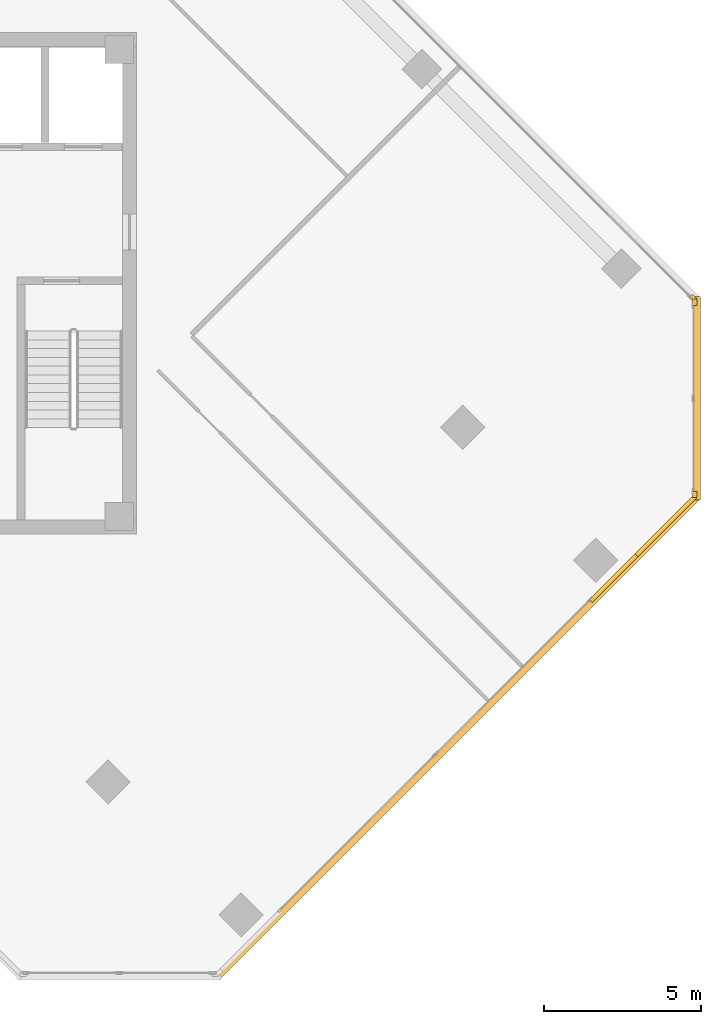
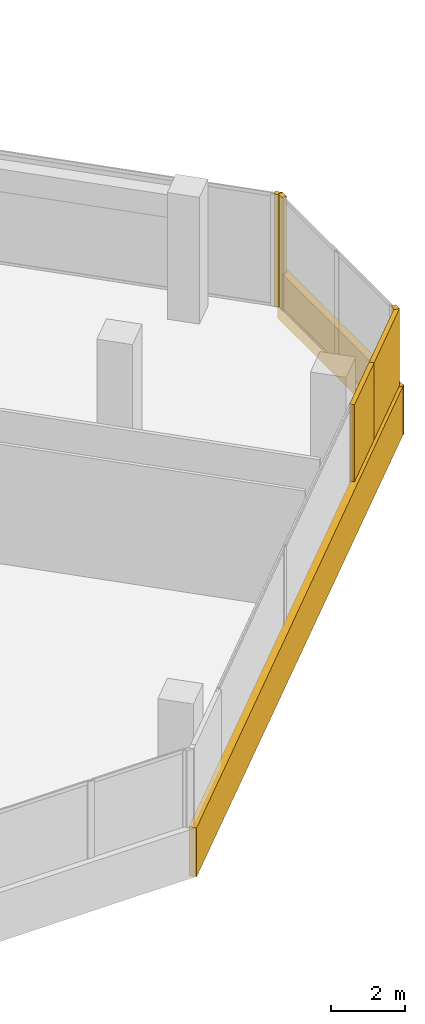
# One storey, part 17 of 18: 7 coverings.
"""IFC4 building model written with IfcOpenShell, lengths in metres."""

import ifcopenshell
import ifcopenshell.guid

model = None  # the IFC model being written
_history = None  # IfcOwnerHistory: only IFC2X3 demands one
_inside = {}  # id of a spatial element -> (the spatial element, [elements in it])
_under = {}  # id of a project, library or spatial element -> (it, [spatial elements below it])
_declared = {}  # id of a project -> (the project, [libraries it declares])
_typed = {}  # id of a type object -> (the type object, [elements of that type])
_made_of = {}  # id of a material, layer set ... -> (it, [elements and type objects made of it])


def new_model(schema):
    """Start an empty IFC model of exactly this schema.

    Asked for "IFC4X3", IfcOpenShell would pick the latest addendum, in which some entities
    have other attributes; the version numbers below select the first issue.
    IFC2X3 requires an IfcOwnerHistory on every rooted entity: one is made here for all.
    """
    global model, _history
    if schema == "IFC4X3":
        model = ifcopenshell.file(schema_version=(4, 3, 0, 0))
    else:
        model = ifcopenshell.file(schema=schema)
    _inside.clear()
    _under.clear()
    _declared.clear()
    _typed.clear()
    _made_of.clear()
    _history = None
    if model.schema == "IFC2X3":
        org = make("IfcOrganization", Name="unknown")
        user = make(
            "IfcPersonAndOrganization",
            ThePerson=make("IfcPerson", FamilyName="unknown"),
            TheOrganization=org,
        )
        app = make(
            "IfcApplication",
            ApplicationDeveloper=org,
            Version="unknown",
            ApplicationFullName="unknown",
            ApplicationIdentifier="unknown",
        )
        _history = make(
            "IfcOwnerHistory",
            OwningUser=user,
            OwningApplication=app,
            ChangeAction="ADDED",
            CreationDate=0,
        )
    return model


def make(cls, **values):
    """One entity of the class cls with the attributes given. An attribute that is None is left unset."""
    return model.create_entity(
        cls, **{name: value for name, value in values.items() if value is not None}
    )


def rooted(cls, **values):
    """An entity with a GlobalId (a new one), such as an element, a storey or a relation."""
    return make(cls, GlobalId=ifcopenshell.guid.new(), OwnerHistory=_history, **values)


def si_unit(unit_type, name, prefix=None):
    """IfcSIUnit, for example si_unit("LENGTHUNIT", "METRE", prefix="MILLI")."""
    return make("IfcSIUnit", UnitType=unit_type, Prefix=prefix, Name=name)


def assignment(units):
    """IfcUnitAssignment: the units of a project."""
    return None if units is None else make("IfcUnitAssignment", Units=units)


def point(xyz):
    """IfcCartesianPoint."""
    return None if xyz is None else make("IfcCartesianPoint", Coordinates=xyz)


def direction(xyz):
    """IfcDirection."""
    return None if xyz is None else make("IfcDirection", DirectionRatios=xyz)


def frame(location, z_axis=None, x_axis=None):
    """IfcAxis2Placement3D, a coordinate frame: its origin and axes. An axis left out is left unset."""
    return make(
        "IfcAxis2Placement3D",
        Location=point(location),
        Axis=direction(z_axis),
        RefDirection=direction(x_axis),
    )


def frame_2d(location, x_axis=None):
    """IfcAxis2Placement2D, a coordinate frame in the plane: its origin and x axis."""
    return make(
        "IfcAxis2Placement2D", Location=point(location), RefDirection=direction(x_axis)
    )


def origin():
    """The frame at (0, 0, 0) with its axes left unset."""
    return frame((0.0, 0.0, 0.0))


def origin_2d():
    """The frame at (0, 0) in the plane with its x axis left unset."""
    return frame_2d((0.0, 0.0))


def place(relative_to, where):
    """IfcLocalPlacement: puts the frame where relative to a parent placement (None: the world)."""
    return make(
        "IfcLocalPlacement", PlacementRelTo=relative_to, RelativePlacement=where
    )


def context(
    kind, dimensions, precision=None, world=None, true_north=None, identifier=None
):
    """IfcGeometricRepresentationContext, for example the 3D "Model" context."""
    return make(
        "IfcGeometricRepresentationContext",
        ContextIdentifier=identifier,
        ContextType=kind,
        CoordinateSpaceDimension=dimensions,
        Precision=precision,
        WorldCoordinateSystem=world,
        TrueNorth=true_north,
    )


def subcontext(parent, identifier, kind, view, scale=None):
    """IfcGeometricRepresentationSubContext, for example "Body" below "Model"."""
    return make(
        "IfcGeometricRepresentationSubContext",
        ContextIdentifier=identifier,
        ContextType=kind,
        ParentContext=parent,
        TargetScale=scale,
        TargetView=view,
    )


def project(units=None, contexts=None):
    """IfcProject with its units and contexts."""
    return rooted(
        "IfcProject",
        Name="project",
        RepresentationContexts=contexts,
        UnitsInContext=assignment(units),
    )


def spatial(cls, under=None, at=None, **own):
    """A site, building, storey or space (cls), placed at a placement, below another one or the project."""
    s = rooted(cls, ObjectPlacement=at, **own)
    if under is not None:
        _under.setdefault(under.id(), (under, []))[1].append(s)
    return s


def profile(cls, at=None, kind="AREA", **sizes):
    """A parametric profile (cls). Its sizes go by their IFC names, for example OverallWidth=200.0."""
    return make(cls, ProfileType=kind, Position=at, **sizes)


def rectangle(**sizes):
    """IfcRectangleProfileDef."""
    return profile("IfcRectangleProfileDef", **sizes)


def extrude(swept, where, along, depth):
    """IfcExtrudedAreaSolid: the profile swept, set in the frame where, extruded along a direction by depth."""
    return make(
        "IfcExtrudedAreaSolid",
        SweptArea=swept,
        Position=where,
        ExtrudedDirection=direction(along),
        Depth=depth,
    )


def shape(context_of_items, identifier, shape_type, items):
    """IfcShapeRepresentation: the items that make up one representation, for example the "Body"."""
    return make(
        "IfcShapeRepresentation",
        ContextOfItems=context_of_items,
        RepresentationIdentifier=identifier,
        RepresentationType=shape_type,
        Items=items,
    )


def source(mapping_origin, context_of_items, identifier, shape_type, items):
    """IfcRepresentationMap: a shape defined once, which mapped items show again and again."""
    return make(
        "IfcRepresentationMap",
        MappingOrigin=mapping_origin,
        MappedRepresentation=shape(context_of_items, identifier, shape_type, items),
    )


def transform(
    local_origin,
    x_axis=None,
    y_axis=None,
    z_axis=None,
    scale=None,
    scale2=None,
    scale3=None,
    uniform=True,
):
    """IfcCartesianTransformationOperator3D, or its non-uniform kind. x_axis, y_axis, z_axis: its Axis1, 2, 3."""
    if uniform:
        return make(
            "IfcCartesianTransformationOperator3D",
            Axis1=direction(x_axis),
            Axis2=direction(y_axis),
            LocalOrigin=point(local_origin),
            Scale=scale,
            Axis3=direction(z_axis),
        )
    return make(
        "IfcCartesianTransformationOperator3DnonUniform",
        Axis1=direction(x_axis),
        Axis2=direction(y_axis),
        LocalOrigin=point(local_origin),
        Scale=scale,
        Axis3=direction(z_axis),
        Scale2=scale2,
        Scale3=scale3,
    )


def mapped(mapping_source, mapping_target):
    """IfcMappedItem: shows the shape of a source again, moved by a transform."""
    return make(
        "IfcMappedItem", MappingSource=mapping_source, MappingTarget=mapping_target
    )


def material(Name=None, Category=None):
    """IfcMaterial."""
    return make("IfcMaterial", Name=Name, Category=Category)


def layer(
    of_material, thickness, ventilated=None, Name=None, Category=None, Priority=None
):
    """IfcMaterialLayer: one layer of a wall or slab, of a material (None: an air gap)."""
    return make(
        "IfcMaterialLayer",
        Material=of_material,
        LayerThickness=thickness,
        IsVentilated=ventilated,
        Name=Name,
        Category=Category,
        Priority=Priority,
    )


def layer_set(layers, Name=None):
    """IfcMaterialLayerSet."""
    return make("IfcMaterialLayerSet", MaterialLayers=layers, LayerSetName=Name)


def made_of(thing, what):
    """Note that an element or type object is made of a material, layer set ...; save() writes the relation."""
    if what is not None:
        _made_of.setdefault(what.id(), (what, []))[1].append(thing)
    return thing


def type_object(cls, material=None, **own):
    """A type object (cls), such as IfcWallType, which elements share."""
    return made_of(rooted(cls, **own), material)


def element(
    cls,
    number,
    at=None,
    inside=None,
    cuts=None,
    type_object=None,
    material=None,
    context=None,
    identifier="Body",
    shape_type=None,
    held_by="IfcProductDefinitionShape",
    body=None,
    shapes=None,
    **own,
):
    """One element of the class cls, such as IfcWall. Its Tag is "e" and its number.

    at: its placement. inside: the storey or other place that contains it. cuts: it is an
    opening in that element (IfcRelVoidsElement). A single representation is given by context,
    identifier, shape_type and body (its items); several are given by shapes. held_by: the class
    of the entity that holds the representations. save() writes the other relations.
    """
    e = rooted(cls, Tag="e%d" % number, ObjectPlacement=at, **own)
    if body is not None:
        shapes = [shape(context, identifier, shape_type, body)]
    if shapes is not None:
        e.Representation = make(held_by, Representations=shapes)
    if inside is not None:
        _inside.setdefault(inside.id(), (inside, []))[1].append(e)
    if cuts is not None:
        rooted(
            "IfcRelVoidsElement", RelatingBuildingElement=cuts, RelatedOpeningElement=e
        )
    if type_object is not None:
        _typed.setdefault(type_object.id(), (type_object, []))[1].append(e)
    return made_of(e, material)


def aggregate(whole, parts):
    """IfcRelAggregates: a whole, such as a stair, and the parts it consists of."""
    return rooted("IfcRelAggregates", RelatingObject=whole, RelatedObjects=parts)


def save(model, path):
    """Write the relations noted so far, then the file.

    IfcRelAggregates (storeys below a building ...), IfcRelContainedInSpatialStructure (elements
    in a storey), IfcRelDefinesByType, IfcRelAssociatesMaterial and IfcRelDeclares: one each for
    every whole, place, type object, material and project.
    """
    for whole, parts in _under.values():
        aggregate(whole, parts)
    for where, things in _inside.values():
        rooted(
            "IfcRelContainedInSpatialStructure",
            RelatedElements=things,
            RelatingStructure=where,
        )
    for kind, things in _typed.values():
        rooted("IfcRelDefinesByType", RelatedObjects=things, RelatingType=kind)
    for what, things in _made_of.values():
        rooted("IfcRelAssociatesMaterial", RelatedObjects=things, RelatingMaterial=what)
    for by, libraries in _declared.values():
        rooted("IfcRelDeclares", RelatingContext=by, RelatedDefinitions=libraries)
    model.write(path)


model = new_model("IFC4")

# Units and contexts
model_context = context("Model", 3, precision=1e-05, world=origin(), true_north=direction((0.0, 1.0)))
body_context = subcontext(model_context, "Body", "Model", "MODEL_VIEW")
ifc_project = project(units=[si_unit("LENGTHUNIT", "METRE"), si_unit("AREAUNIT", "SQUARE_METRE"), si_unit("VOLUMEUNIT", "CUBIC_METRE"), si_unit("PLANEANGLEUNIT", "RADIAN"), si_unit("MASSUNIT", "GRAM", prefix="KILO")], contexts=[model_context])

# Site, building, storey
site_placement = place(None, origin())
site = spatial("IfcSite", under=ifc_project, at=site_placement, CompositionType="ELEMENT")
building_placement = place(site_placement, origin())
building = spatial("IfcBuilding", under=site, at=building_placement, Name="Torre Montelarca", CompositionType="ELEMENT")
storey_placement = place(building_placement, frame((0.0, 0.0, 245.800048828125)))
storey = spatial("IfcBuildingStorey", under=building, at=storey_placement, Name="L55", CompositionType="ELEMENT", Elevation=245.800048828125)

# Coverings
ifc_material = material(Name="Bush-hammered warm white precast concrete C45/55", Category="concrete")
ifc_layer = layer(ifc_material, 0.139892578125, Name="Bush-hammered warm white precast concrete C45/55", Category="concrete")
ifc_layer_set = layer_set([ifc_layer], Name="Bush-hammered warm white precast concrete C45/55")
covering_type = type_object("IfcCoveringType", Name="COV-TRAY-CLAD", PredefinedType="CLADDING", material=ifc_layer_set)
shared_shape_1 = source(origin(), body_context, "Body", "SweptSolid", [
    extrude(rectangle(XDim=6.48388671875, YDim=0.219970703125, at=origin_2d()), origin(), (0.0, 0.0, 1.0), 1.6201171875),
])
covering_1_placement = place(storey_placement, frame((44.875244140625, 28.322998046875, -0.4501953125), z_axis=(0.0, 0.0, 1.0), x_axis=(0.0, 1.0, 0.0)))
element("IfcCovering", 1, at=covering_1_placement, inside=storey, type_object=covering_type, Name="L55 Architectural White Spandrel Tray Band TRYBOT-07", PredefinedType="CLADDING", context=body_context, shape_type="MappedRepresentation", body=[
    mapped(shared_shape_1, transform((0.0, 0.0, 0.0), scale=1.0)),
])
shared_shape_2 = source(origin(), body_context, "Body", "SweptSolid", [
    extrude(rectangle(XDim=0.199951171875, YDim=0.139892578125, at=origin_2d()), origin(), (0.0, 0.0, 1.0), 3.719970703125),
])
for number, where, z_axis, x_axis, name in (
    (2, (44.815185546875, 25.2568359375, 0.0), (0.0, 0.0, 1.0), (0.0, 1.0, 0.0), "L55 Architectural Column Pier Cladding E07-1"),
    (3, (44.815185546875, 31.38916015625, 0.0), (0.0, 0.0, 1.0), (0.0, 1.0, 0.0), "L55 Architectural Column Pier Cladding E07-2"),
    (4, (44.759521484375, 31.523193359375, 0.0), (0.0, 0.0, 1.0), (-0.707105547051, 0.70710801532, 0.0), "L55 Architectural Column Pier Cladding E08-1"),
):
    element("IfcCovering", number, at=place(storey_placement, frame(where, z_axis=z_axis, x_axis=x_axis)), inside=storey, type_object=covering_type, Name=name, PredefinedType="CLADDING", context=body_context, shape_type="MappedRepresentation", body=[
        mapped(shared_shape_2, transform((0.0, 0.0, 0.0), scale=1.0)),
    ])
shared_shape_3 = source(origin(), body_context, "Body", "SweptSolid", [
    extrude(rectangle(XDim=2.06005859375, YDim=0.139892578125, at=origin_2d()), origin(), (0.0, 0.0, 1.0), 3.719970703125),
])
covering_2_placement = place(storey_placement, frame((42.225341796875, 22.58837890625, 0.0), z_axis=(0.0, 0.0, 1.0), x_axis=(0.707106781187, 0.707106781187, 0.0)))
element("IfcCovering", 5, at=covering_2_placement, inside=storey, type_object=covering_type, Name="L55 Architectural Column Pier Cladding E06-3", PredefinedType="CLADDING", context=body_context, shape_type="MappedRepresentation", body=[
    mapped(shared_shape_3, transform((0.0, 0.0, 0.0), scale=1.0)),
])
shared_shape_4 = source(origin(), body_context, "Body", "SweptSolid", [
    extrude(rectangle(XDim=2.754150390625, YDim=0.139892578125, at=origin_2d()), origin(), (0.0, 0.0, 1.0), 3.719970703125),
])
covering_3_placement = place(storey_placement, frame((43.856689453125, 24.2197265625, 0.0), z_axis=(0.0, 0.0, 1.0), x_axis=(0.707106781187, 0.707106781187, 0.0)))
element("IfcCovering", 6, at=covering_3_placement, inside=storey, type_object=covering_type, Name="L55 Architectural Column Pier Cladding E06-4", PredefinedType="CLADDING", context=body_context, shape_type="MappedRepresentation", body=[
    mapped(shared_shape_4, transform((0.0, 0.0, 0.0), scale=1.0)),
])
shared_shape_5 = source(origin(), body_context, "Body", "SweptSolid", [
    extrude(rectangle(XDim=21.719970703125, YDim=0.219970703125, at=origin_2d()), origin(), (0.0, 0.0, 1.0), 1.6201171875),
])
covering_4_placement = place(storey_placement, frame((37.247314453125, 17.525634765625, -0.4501953125), z_axis=(0.0, 0.0, 1.0), x_axis=(0.707106781187, 0.707106781187, 0.0)))
element("IfcCovering", 7, at=covering_4_placement, inside=storey, type_object=covering_type, Name="L55 Architectural White Spandrel Tray Band TRYBOT-06", PredefinedType="CLADDING", context=body_context, shape_type="MappedRepresentation", body=[
    mapped(shared_shape_5, transform((0.0, 0.0, 0.0), scale=1.0)),
])

save(model, "model.ifc")
